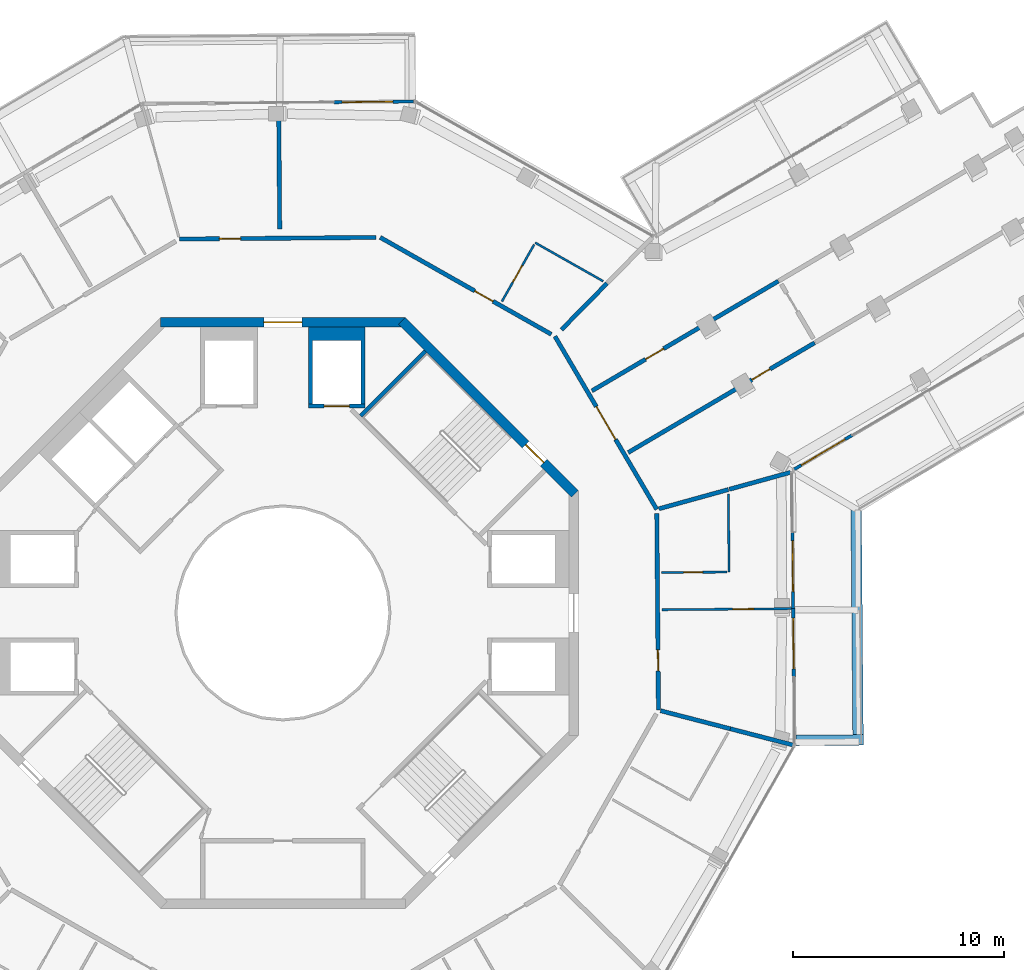
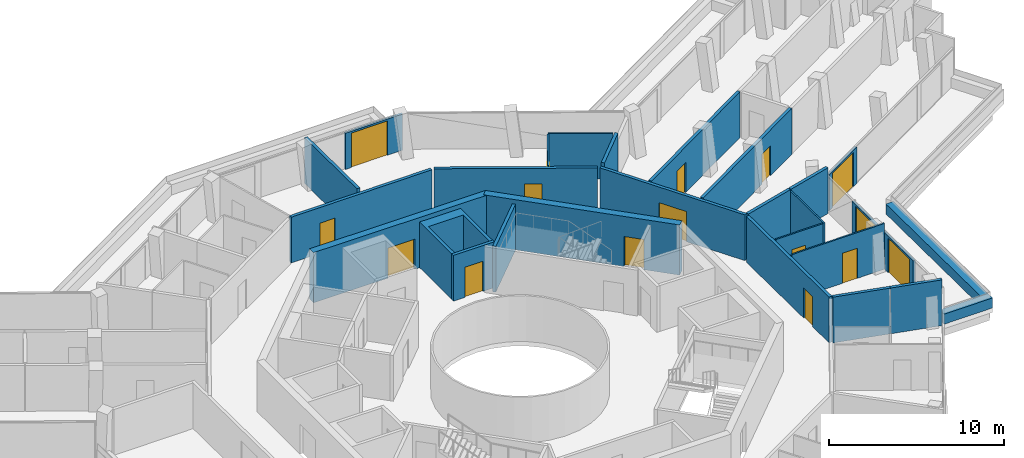
# One storey, part 22 of 26: 28 walls, 16 doors, 16 openings.
"""IFC4 building model written with IfcOpenShell, lengths in metres."""

from ifc_helpers import new_model, si_unit, direction, frame, frame_2d, origin, place, context, subcontext, project, spatial, polyline, rectangle, outline, extrude, material, layer, layer_set, type_object, element, fill, save


model = new_model("IFC4")

# Units and contexts
model_context = context("Model", 3, precision=1e-05, world=origin(), true_north=direction((0.0, 1.0)))
body_context = subcontext(model_context, "Body", "Model", "MODEL_VIEW")
ifc_project = project(units=[si_unit("LENGTHUNIT", "METRE"), si_unit("AREAUNIT", "SQUARE_METRE"), si_unit("VOLUMEUNIT", "CUBIC_METRE"), si_unit("PLANEANGLEUNIT", "RADIAN"), si_unit("MASSUNIT", "GRAM", prefix="KILO")], contexts=[model_context])

# Site, building, storey
site_placement = place(None, origin())
site = spatial("IfcSite", under=ifc_project, at=site_placement, CompositionType="ELEMENT")
building_placement = place(site_placement, origin())
building = spatial("IfcBuilding", under=site, at=building_placement, Name="Verdalira Terraces Hotel", CompositionType="ELEMENT")
storey_placement = place(building_placement, frame((0.0, 0.0, 281.0)))
storey = spatial("IfcBuildingStorey", under=building, at=storey_placement, Name="L69", CompositionType="ELEMENT", Elevation=281.0)

# Walls
ifc_material_1 = material(Name="Concrete C40", Category="concrete")
ifc_layer_1 = layer(ifc_material_1, 0.5)
ifc_layer_set_1 = layer_set([ifc_layer_1], Name="Balcony planter trough with tree")
wall_type_1 = type_object("IfcWallType", Name="Balcony planter trough with tree", PredefinedType="SOLIDWALL", material=ifc_layer_set_1)
wall_1_placement = place(storey_placement, frame((24.310791, -6.046631, 0.0), z_axis=(0.0, 0.0, 1.0), x_axis=(0.999964764, 0.008394728, 0.0)))
element("IfcWall", 1, at=wall_1_placement, inside=storey, type_object=wall_type_1, Name="Balcony planter", PredefinedType="SOLIDWALL", context=body_context, shape_type="SweptSolid", body=[
    extrude(rectangle(XDim=3.198975, YDim=0.5, at=frame_2d((1.599609, 0.0))), origin(), (0.0, 0.0, 1.0), 0.699951),
])
wall_2_placement = place(storey_placement, frame((27.257568, -5.771973, 0.0), z_axis=(0.0, 0.0, 1.0), x_axis=(-0.008365127, 0.999965012, 0.0)))
element("IfcWall", 2, at=wall_2_placement, inside=storey, type_object=wall_type_1, Name="Balcony planter", PredefinedType="SOLIDWALL", context=body_context, shape_type="SweptSolid", body=[
    extrude(rectangle(XDim=10.652832, YDim=0.5, at=frame_2d((5.326416, 0.0))), origin(), (0.0, 0.0, 1.0), 0.699951),
])

# Wall, opening, door
ifc_material_2 = material(Name="Moisture-resistant gypsum board partition")
ifc_layer_2 = layer(ifc_material_2, 0.10009765625)
ifc_layer_set_2 = layer_set([ifc_layer_2], Name="Bathroom partition 100 mm")
wall_type_2 = type_object("IfcWallType", Name="Bathroom partition 100 mm", PredefinedType="PARTITIONING", material=ifc_layer_set_2)
wall_3_placement = place(storey_placement, frame((11.906006, 17.458252, 0.0), z_axis=(0.0, 0.0, 1.0), x_axis=(-0.492708506, -0.870194419, 0.0)))
wall_3 = element("IfcWall", 3, at=wall_3_placement, inside=storey, type_object=wall_type_2, Name="Bathroom partition", PredefinedType="PARTITIONING", context=body_context, shape_type="SweptSolid", body=[
    extrude(rectangle(XDim=3.099854, YDim=0.100098, at=frame_2d((1.549805, 0.0))), origin(), (0.0, 0.0, 1.0), 3.189941),
])
opening_1_placement = place(wall_3_placement, frame((1.149902, 0.0, 0.0)))
opening_1 = element("IfcOpeningElement", 4, at=opening_1_placement, cuts=wall_3, Name="Opening L69-129", PredefinedType="OPENING", context=body_context, shape_type="SweptSolid", body=[
    extrude(rectangle(XDim=0.899902, YDim=2.100098, at=frame_2d((0.449951, 1.050049))), frame((0.0, 0.060059, 0.0), z_axis=(0.0, -1.0, 0.0), x_axis=(1.0, 0.0, 0.0)), (0.0, 0.0, 1.0), 0.120117),
])
ifc_material_3 = material(Name="Timber door", Category="wood")
door_type_1 = type_object("IfcDoorType", Name="Bathroom door 900 x 2100", OperationType="NOTDEFINED", PredefinedType="DOOR", material=ifc_material_3)
door_1_placement = place(opening_1_placement, origin())
door_1 = element("IfcDoor", 5, at=door_1_placement, inside=storey, type_object=door_type_1, Name="Bathroom door 6909", OperationType="SINGLE_SWING_LEFT", OverallHeight=2.10009765625, OverallWidth=0.89990234375, PredefinedType="DOOR", context=body_context, shape_type="SweptSolid", body=[
    extrude(rectangle(XDim=0.899902, YDim=2.100098, at=frame_2d((0.449951, 1.050049))), frame((0.0, 0.024902, 0.0), z_axis=(0.0, -1.0, 0.0), x_axis=(1.0, 0.0, 0.0)), (0.0, 0.0, 1.0), 0.050049),
])
fill(opening_1, door_1)

# Wall
wall_4_placement = place(storey_placement, frame((11.955322, 17.54541, 0.0), z_axis=(0.0, 0.0, 1.0), x_axis=(0.870167276, -0.492756443, 0.0)))
element("IfcWall", 6, at=wall_4_placement, inside=storey, type_object=wall_type_2, Name="Bathroom partition", PredefinedType="PARTITIONING", context=body_context, shape_type="SweptSolid", body=[
    extrude(rectangle(XDim=3.704102, YDim=0.100098, at=frame_2d((1.852051, 0.0))), origin(), (0.0, 0.0, 1.0), 3.189941),
])

# Wall, opening, door
wall_5_placement = place(storey_placement, frame((17.943115, 1.908691, 0.0), z_axis=(0.0, 0.0, 1.0), x_axis=(0.999964493, 0.008426888, 0.0)))
wall_5 = element("IfcWall", 7, at=wall_5_placement, inside=storey, type_object=wall_type_2, Name="Bathroom partition", PredefinedType="PARTITIONING", context=body_context, shape_type="SweptSolid", body=[
    extrude(rectangle(XDim=3.099854, YDim=0.100098, at=frame_2d((1.549805, 0.0))), origin(), (0.0, 0.0, 1.0), 3.189941),
])
opening_2_placement = place(wall_5_placement, frame((1.050049, 0.0, 0.0)))
opening_2 = element("IfcOpeningElement", 8, at=opening_2_placement, cuts=wall_5, Name="Opening L69-123", PredefinedType="OPENING", context=body_context, shape_type="SweptSolid", body=[
    extrude(rectangle(XDim=0.899902, YDim=2.100098, at=frame_2d((0.449951, 1.050049))), frame((0.0, 0.060059, 0.0), z_axis=(0.0, -1.0, 0.0), x_axis=(1.0, 0.0, 0.0)), (0.0, 0.0, 1.0), 0.120117),
])
door_2_placement = place(opening_2_placement, origin())
door_2 = element("IfcDoor", 9, at=door_2_placement, inside=storey, type_object=door_type_1, Name="Bathroom door 6907", OperationType="SINGLE_SWING_RIGHT", OverallHeight=2.10009765625, OverallWidth=0.89990234375, PredefinedType="DOOR", context=body_context, shape_type="SweptSolid", body=[
    extrude(rectangle(XDim=0.899902, YDim=2.100098, at=frame_2d((0.449951, 1.050049))), frame((0.0, 0.024902, 0.0), z_axis=(0.0, -1.0, 0.0), x_axis=(1.0, 0.0, 0.0)), (0.0, 0.0, 1.0), 0.050049),
])
fill(opening_2, door_2)

wall_6_placement = place(storey_placement, frame((17.957764, 0.150391, 0.0), z_axis=(0.0, 0.0, 1.0), x_axis=(0.999964918, 0.008376378, 0.0)))
wall_6 = element("IfcWall", 10, at=wall_6_placement, inside=storey, type_object=wall_type_2, Name="Bathroom partition", PredefinedType="PARTITIONING", context=body_context, shape_type="SweptSolid", body=[
    extrude(rectangle(XDim=6.149902, YDim=0.100098, at=frame_2d((3.074951, 0.0))), origin(), (0.0, 0.0, 1.0), 3.189941),
])
opening_3_placement = place(wall_6_placement, frame((3.350098, 0.0, 0.0)))
opening_3 = element("IfcOpeningElement", 11, at=opening_3_placement, cuts=wall_6, Name="Opening L69-122", PredefinedType="OPENING", context=body_context, shape_type="SweptSolid", body=[
    extrude(rectangle(XDim=1.0, YDim=2.100098, at=frame_2d((0.5, 1.050049))), frame((0.0, 0.060059, 0.0), z_axis=(0.0, -1.0, 0.0), x_axis=(1.0, 0.0, 0.0)), (0.0, 0.0, 1.0), 0.120117),
])
ifc_material_4 = material(Name="Timber door", Category="wood")
door_type_2 = type_object("IfcDoorType", Name="Suite internal door 1000 x 2100", OperationType="NOTDEFINED", PredefinedType="DOOR", material=ifc_material_4)
door_3_placement = place(opening_3_placement, origin())
door_3 = element("IfcDoor", 12, at=door_3_placement, inside=storey, type_object=door_type_2, Name="Suite internal door 6907", OperationType="SINGLE_SWING_LEFT", OverallHeight=2.10009765625, OverallWidth=1.0, PredefinedType="DOOR", context=body_context, shape_type="SweptSolid", body=[
    extrude(rectangle(XDim=1.0, YDim=2.100098, at=frame_2d((0.5, 1.050049))), frame((0.0, 0.024902, 0.0), z_axis=(0.0, -1.0, 0.0), x_axis=(1.0, 0.0, 0.0)), (0.0, 0.0, 1.0), 0.050049),
])
fill(opening_3, door_3)

# Walls
wall_7_placement = place(storey_placement, frame((21.142822, 1.935547, 0.0), z_axis=(0.0, 0.0, 1.0), x_axis=(-0.008370941, 0.999964963, 0.0)))
element("IfcWall", 13, at=wall_7_placement, inside=storey, type_object=wall_type_2, Name="Bathroom partition", PredefinedType="PARTITIONING", context=body_context, shape_type="SweptSolid", body=[
    extrude(rectangle(XDim=3.704102, YDim=0.100098, at=frame_2d((1.852051, 0.0))), origin(), (0.0, 0.0, 1.0), 3.189941),
])
ifc_material_5 = material(Name="Concrete C50", Category="concrete")
ifc_layer_3 = layer(ifc_material_5, 0.199951171875)
ifc_layer_set_3 = layer_set([ifc_layer_3], Name="Core RC wall 200 C50")
wall_type_3 = type_object("IfcWallType", Name="Core RC wall 200 C50", PredefinedType="SOLIDWALL", material=ifc_layer_set_3)
wall_8_placement = place(storey_placement, origin())
element("IfcWall", 14, at=wall_8_placement, inside=storey, type_object=wall_type_3, Name="L69 shaft wall N1", PredefinedType="SOLIDWALL", context=body_context, shape_type="SweptSolid", body=[
    extrude(outline(polyline([(3.899902, 9.899902), (3.699951, 9.899902), (3.699951, 12.899902), (1.399902, 12.899902), (1.399902, 9.899902), (1.199951, 9.899902), (1.199951, 13.550049), (3.899902, 13.550049), (3.899902, 9.899902)])), origin(), (0.0, 0.0, 1.0), 3.189941),
])

# Wall, opening, door
wall_9_placement = place(storey_placement, frame((1.199951, 9.800049, 0.0), z_axis=(0.0, 0.0, 1.0), x_axis=(1.0, 0.0, 0.0)))
wall_9 = element("IfcWall", 15, at=wall_9_placement, inside=storey, type_object=wall_type_3, Name="L69 shaft front wall N1", PredefinedType="SOLIDWALL", context=body_context, shape_type="SweptSolid", body=[
    extrude(rectangle(XDim=2.699951, YDim=0.199951, at=frame_2d((1.350098, 0.0))), origin(), (0.0, 0.0, 1.0), 3.189941),
])
opening_4_placement = place(wall_9_placement, frame((0.75, 0.0, 0.0)))
opening_4 = element("IfcOpeningElement", 16, at=opening_4_placement, cuts=wall_9, Name="Opening LD-L69-804", PredefinedType="OPENING", context=body_context, shape_type="SweptSolid", body=[
    extrude(rectangle(XDim=1.199951, YDim=2.100098, at=frame_2d((0.600098, 1.050049))), frame((0.0, 0.109863, 0.0), z_axis=(0.0, -1.0, 0.0), x_axis=(1.0, 0.0, 0.0)), (0.0, 0.0, 1.0), 0.219971),
])
ifc_material_6 = material(Name="Stainless steel", Category="steel")
door_type_3 = type_object("IfcDoorType", Name="Landing door 1200 x 2100", OperationType="NOTDEFINED", PredefinedType="DOOR", material=ifc_material_6)
door_4_placement = place(opening_4_placement, origin())
door_4 = element("IfcDoor", 17, at=door_4_placement, inside=storey, type_object=door_type_3, Name="Lift landing door HR3 L69", OperationType="DOUBLE_DOOR_SLIDING", OverallHeight=2.10009765625, OverallWidth=1.199951171875, PredefinedType="DOOR", context=body_context, shape_type="SweptSolid", body=[
    extrude(rectangle(XDim=1.199951, YDim=2.100098, at=frame_2d((0.600098, 1.050049))), frame((0.0, 0.024902, 0.0), z_axis=(0.0, -1.0, 0.0), x_axis=(1.0, 0.0, 0.0)), (0.0, 0.0, 1.0), 0.050049),
])
fill(opening_4, door_4)

# Wall
wall_10_placement = place(storey_placement, frame((3.677002, 9.33374, 0.0), z_axis=(0.0, 0.0, 1.0), x_axis=(0.707106781, 0.707106781, 0.0)))
element("IfcWall", 18, at=wall_10_placement, inside=storey, type_object=wall_type_3, Name="L69 stair ST1 end wall 2", PredefinedType="SOLIDWALL", context=body_context, shape_type="SweptSolid", body=[
    extrude(rectangle(XDim=4.350098, YDim=0.199951, at=frame_2d((2.175049, 0.0))), origin(), (0.0, 0.0, 1.0), 3.189941),
])

# Wall, opening, door
ifc_material_7 = material(Name="Concrete C50", Category="concrete")
ifc_layer_4 = layer(ifc_material_7, 0.449951171875)
ifc_layer_set_4 = layer_set([ifc_layer_4], Name="Core wall 450 C50")
wall_type_4 = type_object("IfcWallType", Name="Core wall 450 C50", PredefinedType="SHEAR", material=ifc_layer_set_4)
wall_11_placement = place(storey_placement, frame((13.84082, 5.639893, 0.0), z_axis=(0.0, 0.0, 1.0), x_axis=(-0.707106781, 0.707106781, 0.0)))
wall_11 = element("IfcWall", 19, at=wall_11_placement, inside=storey, type_object=wall_type_4, Name="Core wall CW-L69-2", PredefinedType="SHEAR", context=body_context, shape_type="SweptSolid", body=[
    extrude(rectangle(XDim=11.5979, YDim=0.449951, at=frame_2d((5.798828, 0.0))), origin(), (0.0, 0.0, 1.0), 3.5),
])
opening_5_placement = place(wall_11_placement, frame((2.099121, 0.0, 0.0)))
opening_5 = element("IfcOpeningElement", 20, at=opening_5_placement, cuts=wall_11, Name="Opening L69-816", PredefinedType="OPENING", context=body_context, shape_type="SweptSolid", body=[
    extrude(rectangle(XDim=1.199951, YDim=2.100098, at=frame_2d((0.600098, 1.050049))), frame((0.0, 0.234863, 0.0), z_axis=(0.0, -1.0, 0.0), x_axis=(1.0, 0.0, 0.0)), (0.0, 0.0, 1.0), 0.469971),
])
ifc_material_8 = material(Name="Steel fire door", Category="steel")
door_type_4 = type_object("IfcDoorType", Name="Stair door 1200 x 2100", OperationType="NOTDEFINED", PredefinedType="DOOR", material=ifc_material_8)
door_5_placement = place(opening_5_placement, origin())
door_5 = element("IfcDoor", 21, at=door_5_placement, inside=storey, type_object=door_type_4, Name="Stair exit door ST1 L69", OperationType="SINGLE_SWING_LEFT", OverallHeight=2.10009765625, OverallWidth=1.199951171875, PredefinedType="DOOR", context=body_context, shape_type="SweptSolid", body=[
    extrude(rectangle(XDim=1.199951, YDim=2.100098, at=frame_2d((0.600098, 1.050049))), frame((0.0, 0.024902, 0.0), z_axis=(0.0, -1.0, 0.0), x_axis=(1.0, 0.0, 0.0)), (0.0, 0.0, 1.0), 0.050049),
])
fill(opening_5, door_5)

wall_12_placement = place(storey_placement, frame((5.799072, 13.774902, 0.0), z_axis=(0.0, 0.0, 1.0), x_axis=(-1.0, 0.0, 0.0)))
wall_12 = element("IfcWall", 22, at=wall_12_placement, inside=storey, type_object=wall_type_4, Name="Core wall CW-L69-3", PredefinedType="SHEAR", context=body_context, shape_type="SweptSolid", body=[
    extrude(rectangle(XDim=11.598145, YDim=0.449951, at=frame_2d((5.799072, 0.0))), origin(), (0.0, 0.0, 1.0), 3.5),
])
opening_6_placement = place(wall_12_placement, frame((4.898926, 0.0, 0.0)))
opening_6 = element("IfcOpeningElement", 23, at=opening_6_placement, cuts=wall_12, Name="Opening L69-814", PredefinedType="OPENING", context=body_context, shape_type="SweptSolid", body=[
    extrude(rectangle(XDim=1.800049, YDim=2.100098, at=frame_2d((0.899902, 1.050049))), frame((0.0, 0.234863, 0.0), z_axis=(0.0, -1.0, 0.0), x_axis=(1.0, 0.0, 0.0)), (0.0, 0.0, 1.0), 0.469971),
])
ifc_material_9 = material(Name="Steel fire door", Category="steel")
door_type_5 = type_object("IfcDoorType", Name="Core entry door pair 1800 x 2100", OperationType="NOTDEFINED", PredefinedType="DOOR", material=ifc_material_9)
door_6_placement = place(opening_6_placement, origin())
door_6 = element("IfcDoor", 24, at=door_6_placement, inside=storey, type_object=door_type_5, Name="Core entry door L69 2", OperationType="DOUBLE_DOOR_SINGLE_SWING", OverallHeight=2.10009765625, OverallWidth=1.800048828125, PredefinedType="DOOR", context=body_context, shape_type="SweptSolid", body=[
    extrude(rectangle(XDim=1.800049, YDim=2.100098, at=frame_2d((0.899902, 1.050049))), frame((0.0, 0.024902, 0.0), z_axis=(0.0, -1.0, 0.0), x_axis=(1.0, 0.0, 0.0)), (0.0, 0.0, 1.0), 0.050049),
])
fill(opening_6, door_6)

# Walls
ifc_material_10 = material(Name="Fire-rated gypsum board wall")
ifc_layer_5 = layer(ifc_material_10, 0.199951171875)
ifc_layer_set_5 = layer_set([ifc_layer_5], Name="Demising wall 200 mm")
wall_type_5 = type_object("IfcWallType", Name="Demising wall 200 mm", PredefinedType="SOLIDWALL", material=ifc_layer_set_5)
wall_13_placement = place(storey_placement, frame((-0.152588, 18.205078, 0.0), z_axis=(0.0, 0.0, 1.0), x_axis=(-0.008355102, 0.999965096, 0.0)))
element("IfcWall", 25, at=wall_13_placement, inside=storey, type_object=wall_type_5, Name="Demising wall", PredefinedType="SOLIDWALL", context=body_context, shape_type="SweptSolid", body=[
    extrude(rectangle(XDim=5.902588, YDim=0.199951, at=frame_2d((2.951172, 0.0))), origin(), (0.0, 0.0, 1.0), 3.189941),
])
wall_14_placement = place(storey_placement, frame((13.204102, 13.427246, 0.0), z_axis=(0.0, 0.0, 1.0), x_axis=(0.701166862, 0.712997217, 0.0)))
element("IfcWall", 26, at=wall_14_placement, inside=storey, type_object=wall_type_5, Name="Demising wall", PredefinedType="SOLIDWALL", context=body_context, shape_type="SweptSolid", body=[
    extrude(rectangle(XDim=3.074951, YDim=0.199951, at=frame_2d((1.537598, 0.0))), origin(), (0.0, 0.0, 1.0), 3.189941),
])

# Wall, opening, door
wall_15_placement = place(storey_placement, frame((14.643555, 10.524414, 0.0), z_axis=(0.0, 0.0, 1.0), x_axis=(0.861805628, 0.507238661, 0.0)))
wall_15 = element("IfcWall", 27, at=wall_15_placement, inside=storey, type_object=wall_type_5, Name="Demising wall", PredefinedType="SOLIDWALL", context=body_context, shape_type="SweptSolid", body=[
    extrude(rectangle(XDim=10.251953, YDim=0.199951, at=frame_2d((5.125977, 0.0))), origin(), (0.0, 0.0, 1.0), 3.189941),
])
opening_7_placement = place(wall_15_placement, frame((2.949951, 0.0, 0.0)))
opening_7 = element("IfcOpeningElement", 28, at=opening_7_placement, cuts=wall_15, Name="Opening L69-126", PredefinedType="OPENING", context=body_context, shape_type="SweptSolid", body=[
    extrude(rectangle(XDim=1.0, YDim=2.100098, at=frame_2d((0.5, 1.050049))), frame((0.0, 0.109863, 0.0), z_axis=(0.0, -1.0, 0.0), x_axis=(1.0, 0.0, 0.0)), (0.0, 0.0, 1.0), 0.219971),
])
ifc_material_11 = material(Name="Timber fire door", Category="wood")
door_type_6 = type_object("IfcDoorType", Name="Public room door 1000 x 2100", OperationType="NOTDEFINED", PredefinedType="DOOR", material=ifc_material_11)
door_7_placement = place(opening_7_placement, origin())
door_7 = element("IfcDoor", 29, at=door_7_placement, inside=storey, type_object=door_type_6, Name="Public room door 6908", OperationType="SINGLE_SWING_LEFT", OverallHeight=2.10009765625, OverallWidth=1.0, PredefinedType="DOOR", context=body_context, shape_type="SweptSolid", body=[
    extrude(rectangle(XDim=1.0, YDim=2.100098, at=frame_2d((0.5, 1.050049))), frame((0.0, 0.024902, 0.0), z_axis=(0.0, -1.0, 0.0), x_axis=(1.0, 0.0, 0.0)), (0.0, 0.0, 1.0), 0.050049),
])
fill(opening_7, door_7)

# Walls
wall_16_placement = place(storey_placement, frame((21.112061, 5.846924, 0.0), z_axis=(0.0, 0.0, 1.0), x_axis=(-0.963726348, -0.266892349, 0.0)))
element("IfcWall", 30, at=wall_16_placement, inside=storey, type_object=wall_type_5, Name="Demising wall", PredefinedType="SOLIDWALL", context=body_context, shape_type="SweptSolid", body=[
    extrude(rectangle(XDim=3.418457, YDim=0.199951, at=frame_2d((1.709229, 0.0))), origin(), (0.0, 0.0, 1.0), 3.189941),
])
wall_17_placement = place(storey_placement, frame((17.897705, -4.635254, 0.0), z_axis=(0.0, 0.0, 1.0), x_axis=(0.968052168, -0.250748879, 0.0)))
element("IfcWall", 31, at=wall_17_placement, inside=storey, type_object=wall_type_5, Name="Demising wall", PredefinedType="SOLIDWALL", context=body_context, shape_type="SweptSolid", body=[
    extrude(rectangle(XDim=3.416504, YDim=0.199951, at=frame_2d((1.708252, 0.0))), origin(), (0.0, 0.0, 1.0), 3.189941),
])

# Wall, opening, door
wall_18_placement = place(storey_placement, frame((25.198975, 12.802002, 0.0), z_axis=(0.0, 0.0, 1.0), x_axis=(-0.861805628, -0.507238661, 0.0)))
wall_18 = element("IfcWall", 32, at=wall_18_placement, inside=storey, type_object=wall_type_5, Name="Demising wall", PredefinedType="SOLIDWALL", context=body_context, shape_type="SweptSolid", body=[
    extrude(rectangle(XDim=10.251953, YDim=0.199951, at=frame_2d((5.125977, 0.0))), origin(), (0.0, 0.0, 1.0), 3.189941),
])
opening_8_placement = place(wall_18_placement, frame((2.449951, 0.0, 0.0)))
opening_8 = element("IfcOpeningElement", 33, at=opening_8_placement, cuts=wall_18, Name="Opening L69-125", PredefinedType="OPENING", context=body_context, shape_type="SweptSolid", body=[
    extrude(rectangle(XDim=1.0, YDim=2.100098, at=frame_2d((0.5, 1.050049))), frame((0.0, 0.109863, 0.0), z_axis=(0.0, -1.0, 0.0), x_axis=(1.0, 0.0, 0.0)), (0.0, 0.0, 1.0), 0.219971),
])
door_8_placement = place(opening_8_placement, origin())
door_8 = element("IfcDoor", 34, at=door_8_placement, inside=storey, type_object=door_type_6, Name="Public room door 6908", OperationType="SINGLE_SWING_LEFT", OverallHeight=2.10009765625, OverallWidth=1.0, PredefinedType="DOOR", context=body_context, shape_type="SweptSolid", body=[
    extrude(rectangle(XDim=1.0, YDim=2.100098, at=frame_2d((0.5, 1.050049))), frame((0.0, 0.024902, 0.0), z_axis=(0.0, -1.0, 0.0), x_axis=(1.0, 0.0, 0.0)), (0.0, 0.0, 1.0), 0.050049),
])
fill(opening_8, door_8)

# Walls
wall_19_placement = place(storey_placement, frame((24.058594, 6.663086, 0.0), z_axis=(0.0, 0.0, 1.0), x_axis=(-0.963710452, -0.266949741, 0.0)))
element("IfcWall", 35, at=wall_19_placement, inside=storey, type_object=wall_type_5, Name="Demising wall", PredefinedType="SOLIDWALL", context=body_context, shape_type="SweptSolid", body=[
    extrude(rectangle(XDim=3.011719, YDim=0.199951, at=frame_2d((1.505859, 0.0))), origin(), (0.0, 0.0, 1.0), 3.189941),
])
wall_20_placement = place(storey_placement, frame((21.205078, -5.491943, 0.0), z_axis=(0.0, 0.0, 1.0), x_axis=(0.968075831, -0.250657504, 0.0)))
element("IfcWall", 36, at=wall_20_placement, inside=storey, type_object=wall_type_5, Name="Demising wall", PredefinedType="SOLIDWALL", context=body_context, shape_type="SweptSolid", body=[
    extrude(rectangle(XDim=3.059326, YDim=0.199951, at=frame_2d((1.529785, 0.0))), origin(), (0.0, 0.0, 1.0), 3.189941),
])

# Wall, opening, door
ifc_material_12 = material(Name="Fire-rated gypsum board wall")
ifc_layer_6 = layer(ifc_material_12, 0.199951171875)
ifc_layer_set_6 = layer_set([ifc_layer_6], Name="Guest corridor wall 200 mm")
wall_type_6 = type_object("IfcWallType", Name="Guest corridor wall 200 mm", PredefinedType="SOLIDWALL", material=ifc_layer_set_6)
wall_21_placement = place(storey_placement, frame((-4.906982, 17.717773, 0.0), z_axis=(0.0, 0.0, 1.0), x_axis=(0.999964838, 0.008385889, 0.0)))
wall_21 = element("IfcWall", 37, at=wall_21_placement, inside=storey, type_object=wall_type_6, Name="Guest corridor wall", PredefinedType="SOLIDWALL", context=body_context, shape_type="SweptSolid", body=[
    extrude(rectangle(XDim=9.316162, YDim=0.199951, at=frame_2d((4.658203, 0.0))), origin(), (0.0, 0.0, 1.0), 3.189941),
])
opening_9_placement = place(wall_21_placement, frame((1.899902, 0.0, 0.0)))
opening_9 = element("IfcOpeningElement", 38, at=opening_9_placement, cuts=wall_21, Name="Opening L69-130", PredefinedType="OPENING", context=body_context, shape_type="SweptSolid", body=[
    extrude(rectangle(XDim=1.0, YDim=2.100098, at=frame_2d((0.5, 1.050049))), frame((0.0, 0.109863, 0.0), z_axis=(0.0, -1.0, 0.0), x_axis=(1.0, 0.0, 0.0)), (0.0, 0.0, 1.0), 0.219971),
])
ifc_material_13 = material(Name="Timber fire door", Category="wood")
door_type_7 = type_object("IfcDoorType", Name="Guest entry door 1000 x 2100", OperationType="NOTDEFINED", PredefinedType="DOOR", material=ifc_material_13)
door_9_placement = place(opening_9_placement, origin())
door_9 = element("IfcDoor", 39, at=door_9_placement, inside=storey, type_object=door_type_7, Name="Guest entry door 6910", OperationType="SINGLE_SWING_LEFT", OverallHeight=2.10009765625, OverallWidth=1.0, PredefinedType="DOOR", context=body_context, shape_type="SweptSolid", body=[
    extrude(rectangle(XDim=1.0, YDim=2.100098, at=frame_2d((0.5, 1.050049))), frame((0.0, 0.024902, 0.0), z_axis=(0.0, -1.0, 0.0), x_axis=(1.0, 0.0, 0.0)), (0.0, 0.0, 1.0), 0.050049),
])
fill(opening_9, door_9)

wall_22_placement = place(storey_placement, frame((4.609863, 17.797363, 0.0), z_axis=(0.0, 0.0, 1.0), x_axis=(0.870181384, -0.492731528, 0.0)))
wall_22 = element("IfcWall", 40, at=wall_22_placement, inside=storey, type_object=wall_type_6, Name="Guest corridor wall", PredefinedType="SOLIDWALL", context=body_context, shape_type="SweptSolid", body=[
    extrude(rectangle(XDim=9.316162, YDim=0.199951, at=frame_2d((4.658203, 0.0))), origin(), (0.0, 0.0, 1.0), 3.189941),
])
opening_10_placement = place(wall_22_placement, frame((5.149902, 0.0, 0.0)))
opening_10 = element("IfcOpeningElement", 41, at=opening_10_placement, cuts=wall_22, Name="Opening L69-128", PredefinedType="OPENING", context=body_context, shape_type="SweptSolid", body=[
    extrude(rectangle(XDim=1.0, YDim=2.100098, at=frame_2d((0.5, 1.050049))), frame((0.0, 0.109863, 0.0), z_axis=(0.0, -1.0, 0.0), x_axis=(1.0, 0.0, 0.0)), (0.0, 0.0, 1.0), 0.219971),
])
door_10_placement = place(opening_10_placement, origin())
door_10 = element("IfcDoor", 42, at=door_10_placement, inside=storey, type_object=door_type_7, Name="Guest entry door 6909", OperationType="SINGLE_SWING_LEFT", OverallHeight=2.10009765625, OverallWidth=1.0, PredefinedType="DOOR", context=body_context, shape_type="SweptSolid", body=[
    extrude(rectangle(XDim=1.0, YDim=2.100098, at=frame_2d((0.5, 1.050049))), frame((0.0, 0.024902, 0.0), z_axis=(0.0, -1.0, 0.0), x_axis=(1.0, 0.0, 0.0)), (0.0, 0.0, 1.0), 0.050049),
])
fill(opening_10, door_10)

wall_23_placement = place(storey_placement, frame((12.890625, 13.108398, 0.0), z_axis=(0.0, 0.0, 1.0), x_axis=(0.507237612, -0.861806246, 0.0)))
wall_23 = element("IfcWall", 43, at=wall_23_placement, inside=storey, type_object=wall_type_6, Name="Guest corridor wall", PredefinedType="SOLIDWALL", context=body_context, shape_type="SweptSolid", body=[
    extrude(rectangle(XDim=9.516602, YDim=0.199951, at=frame_2d((4.758301, 0.0))), origin(), (0.0, 0.0, 1.0), 3.189941),
])
opening_11_placement = place(wall_23_placement, frame((3.865967, 0.0, 0.0)))
opening_11 = element("IfcOpeningElement", 44, at=opening_11_placement, cuts=wall_23, Name="Opening L69-124", PredefinedType="OPENING", context=body_context, shape_type="SweptSolid", body=[
    extrude(rectangle(XDim=1.800049, YDim=2.100098, at=frame_2d((0.899902, 1.050049))), frame((0.0, 0.109863, 0.0), z_axis=(0.0, -1.0, 0.0), x_axis=(1.0, 0.0, 0.0)), (0.0, 0.0, 1.0), 0.219971),
])
ifc_material_14 = material(Name="Timber fire door", Category="wood")
door_type_8 = type_object("IfcDoorType", Name="Public room double door 1800 x 2100", OperationType="NOTDEFINED", PredefinedType="DOOR", material=ifc_material_14)
door_11_placement = place(opening_11_placement, origin())
door_11 = element("IfcDoor", 45, at=door_11_placement, inside=storey, type_object=door_type_8, Name="Public room double door 6908", OperationType="DOUBLE_DOOR_SINGLE_SWING", OverallHeight=2.10009765625, OverallWidth=1.800048828125, PredefinedType="DOOR", context=body_context, shape_type="SweptSolid", body=[
    extrude(rectangle(XDim=1.800049, YDim=2.100098, at=frame_2d((0.899902, 1.050049))), frame((0.0, 0.024902, 0.0), z_axis=(0.0, -1.0, 0.0), x_axis=(1.0, 0.0, 0.0)), (0.0, 0.0, 1.0), 0.050049),
])
fill(opening_11, door_11)

wall_24_placement = place(storey_placement, frame((17.719482, 4.706787, 0.0), z_axis=(0.0, 0.0, 1.0), x_axis=(0.008385669, -0.99996484, 0.0)))
wall_24 = element("IfcWall", 46, at=wall_24_placement, inside=storey, type_object=wall_type_6, Name="Guest corridor wall", PredefinedType="SOLIDWALL", context=body_context, shape_type="SweptSolid", body=[
    extrude(rectangle(XDim=9.316406, YDim=0.199951, at=frame_2d((4.658203, 0.0))), origin(), (0.0, 0.0, 1.0), 3.189941),
])
opening_12_placement = place(wall_24_placement, frame((6.458252, 0.0, 0.0)))
opening_12 = element("IfcOpeningElement", 47, at=opening_12_placement, cuts=wall_24, Name="Opening L69-121", PredefinedType="OPENING", context=body_context, shape_type="SweptSolid", body=[
    extrude(rectangle(XDim=1.0, YDim=2.100098, at=frame_2d((0.5, 1.050049))), frame((0.0, 0.109863, 0.0), z_axis=(0.0, -1.0, 0.0), x_axis=(1.0, 0.0, 0.0)), (0.0, 0.0, 1.0), 0.219971),
])
door_12_placement = place(opening_12_placement, origin())
door_12 = element("IfcDoor", 48, at=door_12_placement, inside=storey, type_object=door_type_7, Name="Guest entry door 6907", OperationType="SINGLE_SWING_LEFT", OverallHeight=2.10009765625, OverallWidth=1.0, PredefinedType="DOOR", context=body_context, shape_type="SweptSolid", body=[
    extrude(rectangle(XDim=1.0, YDim=2.100098, at=frame_2d((0.5, 1.050049))), frame((0.0, 0.024902, 0.0), z_axis=(0.0, -1.0, 0.0), x_axis=(1.0, 0.0, 0.0)), (0.0, 0.0, 1.0), 0.050049),
])
fill(opening_12, door_12)

ifc_material_15 = material(Name="Terracotta cladding", Category="masonry")
ifc_layer_7 = layer(ifc_material_15, 0.14990234375)
ifc_layer_set_7 = layer_set([ifc_layer_7], Name="Terracotta door pier 150")
wall_type_7 = type_object("IfcWallType", Name="Terracotta door pier 150", PredefinedType="SOLIDWALL", material=ifc_layer_set_7)
wall_25_placement = place(storey_placement, frame((24.209717, -3.047363, 0.0), z_axis=(0.0, 0.0, 1.0), x_axis=(-0.008413164, 0.999964609, 0.0)))
wall_25 = element("IfcWall", 49, at=wall_25_placement, inside=storey, type_object=wall_type_7, Name="Terracotta door pier", PredefinedType="SOLIDWALL", context=body_context, shape_type="SweptSolid", body=[
    extrude(rectangle(XDim=3.25, YDim=0.149902, at=frame_2d((1.625, 0.0))), origin(), (0.0, 0.0, 1.0), 2.524902),
])
opening_13_placement = place(wall_25_placement, frame((0.399902, 0.0, 0.0)))
opening_13 = element("IfcOpeningElement", 50, at=opening_13_placement, cuts=wall_25, Name="Opening L69-B08", PredefinedType="OPENING", context=body_context, shape_type="SweptSolid", body=[
    extrude(rectangle(XDim=2.399902, YDim=2.399902, at=frame_2d((1.199951, 1.199951))), frame((0.0, 0.084961, 0.0), z_axis=(0.0, -1.0, 0.0), x_axis=(1.0, 0.0, 0.0)), (0.0, 0.0, 1.0), 0.169922),
])
ifc_material_16 = material(Name="Clear glass", Category="glass")
door_type_9 = type_object("IfcDoorType", Name="Balcony sliding door 2400x2400", OperationType="NOTDEFINED", PredefinedType="DOOR", material=ifc_material_16)
door_13_placement = place(opening_13_placement, origin())
door_13 = element("IfcDoor", 51, at=door_13_placement, inside=storey, type_object=door_type_9, Name="Balcony sliding door", OperationType="SLIDING_TO_RIGHT", OverallHeight=2.39990234375, OverallWidth=2.39990234375, PredefinedType="DOOR", context=body_context, shape_type="SweptSolid", body=[
    extrude(rectangle(XDim=2.399902, YDim=2.399902, at=frame_2d((1.199951, 1.199951))), frame((0.0, 0.024902, 0.0), z_axis=(0.0, -1.0, 0.0), x_axis=(1.0, 0.0, 0.0)), (0.0, 0.0, 1.0), 0.050049),
])
fill(opening_13, door_13)

wall_26_placement = place(storey_placement, frame((24.182373, 0.202637, 0.0), z_axis=(0.0, 0.0, 1.0), x_axis=(-0.00831558, 0.999965425, 0.0)))
wall_26 = element("IfcWall", 52, at=wall_26_placement, inside=storey, type_object=wall_type_7, Name="Terracotta door pier", PredefinedType="SOLIDWALL", context=body_context, shape_type="SweptSolid", body=[
    extrude(rectangle(XDim=3.611328, YDim=0.149902, at=frame_2d((1.805664, 0.0))), origin(), (0.0, 0.0, 1.0), 2.524902),
])
opening_14_placement = place(wall_26_placement, frame((0.811279, 0.0, 0.0)))
opening_14 = element("IfcOpeningElement", 53, at=opening_14_placement, cuts=wall_26, Name="Opening L69-B09", PredefinedType="OPENING", context=body_context, shape_type="SweptSolid", body=[
    extrude(rectangle(XDim=2.399902, YDim=2.399902, at=frame_2d((1.199951, 1.199951))), frame((0.0, 0.084961, 0.0), z_axis=(0.0, -1.0, 0.0), x_axis=(1.0, 0.0, 0.0)), (0.0, 0.0, 1.0), 0.169922),
])
door_14_placement = place(opening_14_placement, origin())
door_14 = element("IfcDoor", 54, at=door_14_placement, inside=storey, type_object=door_type_9, Name="Balcony sliding door", OperationType="SLIDING_TO_LEFT", OverallHeight=2.39990234375, OverallWidth=2.39990234375, PredefinedType="DOOR", context=body_context, shape_type="SweptSolid", body=[
    extrude(rectangle(XDim=2.399902, YDim=2.399902, at=frame_2d((1.199951, 1.199951))), frame((0.0, 0.024902, 0.0), z_axis=(0.0, -1.0, 0.0), x_axis=(1.0, 0.0, 0.0)), (0.0, 0.0, 1.0), 0.050049),
])
fill(opening_14, door_14)

wall_27_placement = place(storey_placement, frame((24.225342, 6.803223, 0.0), z_axis=(0.0, 0.0, 1.0), x_axis=(0.861824362, 0.507206831, 0.0)))
wall_27 = element("IfcWall", 55, at=wall_27_placement, inside=storey, type_object=wall_type_7, Name="Terracotta door pier", PredefinedType="SOLIDWALL", context=body_context, shape_type="SweptSolid", body=[
    extrude(rectangle(XDim=3.199951, YDim=0.149902, at=frame_2d((1.600098, 0.0))), origin(), (0.0, 0.0, 1.0), 2.524902),
])
opening_15_placement = place(wall_27_placement, frame((0.399902, 0.0, 0.0)))
opening_15 = element("IfcOpeningElement", 56, at=opening_15_placement, cuts=wall_27, Name="Opening L69-B10", PredefinedType="OPENING", context=body_context, shape_type="SweptSolid", body=[
    extrude(rectangle(XDim=2.399902, YDim=2.399902, at=frame_2d((1.199951, 1.199951))), frame((0.0, 0.084961, 0.0), z_axis=(0.0, -1.0, 0.0), x_axis=(1.0, 0.0, 0.0)), (0.0, 0.0, 1.0), 0.169922),
])
door_15_placement = place(opening_15_placement, origin())
door_15 = element("IfcDoor", 57, at=door_15_placement, inside=storey, type_object=door_type_9, Name="Balcony sliding door", OperationType="SLIDING_TO_LEFT", OverallHeight=2.39990234375, OverallWidth=2.39990234375, PredefinedType="DOOR", context=body_context, shape_type="SweptSolid", body=[
    extrude(rectangle(XDim=2.399902, YDim=2.399902, at=frame_2d((1.199951, 1.199951))), frame((0.0, 0.024902, 0.0), z_axis=(0.0, -1.0, 0.0), x_axis=(1.0, 0.0, 0.0)), (0.0, 0.0, 1.0), 0.050049),
])
fill(opening_15, door_15)

wall_28_placement = place(storey_placement, frame((6.197021, 24.236084, 0.0), z_axis=(0.0, 0.0, 1.0), x_axis=(-0.999964875, -0.008381395, 0.0)))
wall_28 = element("IfcWall", 58, at=wall_28_placement, inside=storey, type_object=wall_type_7, Name="Terracotta door pier", PredefinedType="SOLIDWALL", context=body_context, shape_type="SweptSolid", body=[
    extrude(rectangle(XDim=3.786865, YDim=0.149902, at=frame_2d((1.893555, 0.0))), origin(), (0.0, 0.0, 1.0), 2.524902),
])
opening_16_placement = place(wall_28_placement, frame((0.986572, 0.0, 0.0)))
opening_16 = element("IfcOpeningElement", 59, at=opening_16_placement, cuts=wall_28, Name="Opening L69-B14", PredefinedType="OPENING", context=body_context, shape_type="SweptSolid", body=[
    extrude(rectangle(XDim=2.399902, YDim=2.399902, at=frame_2d((1.199951, 1.199951))), frame((0.0, 0.084961, 0.0), z_axis=(0.0, -1.0, 0.0), x_axis=(1.0, 0.0, 0.0)), (0.0, 0.0, 1.0), 0.169922),
])
door_16_placement = place(opening_16_placement, origin())
door_16 = element("IfcDoor", 60, at=door_16_placement, inside=storey, type_object=door_type_9, Name="Balcony sliding door", OperationType="SLIDING_TO_LEFT", OverallHeight=2.39990234375, OverallWidth=2.39990234375, PredefinedType="DOOR", context=body_context, shape_type="SweptSolid", body=[
    extrude(rectangle(XDim=2.399902, YDim=2.399902, at=frame_2d((1.199951, 1.199951))), frame((0.0, 0.024902, 0.0), z_axis=(0.0, -1.0, 0.0), x_axis=(1.0, 0.0, 0.0)), (0.0, 0.0, 1.0), 0.050049),
])
fill(opening_16, door_16)

save(model, "model.ifc")
